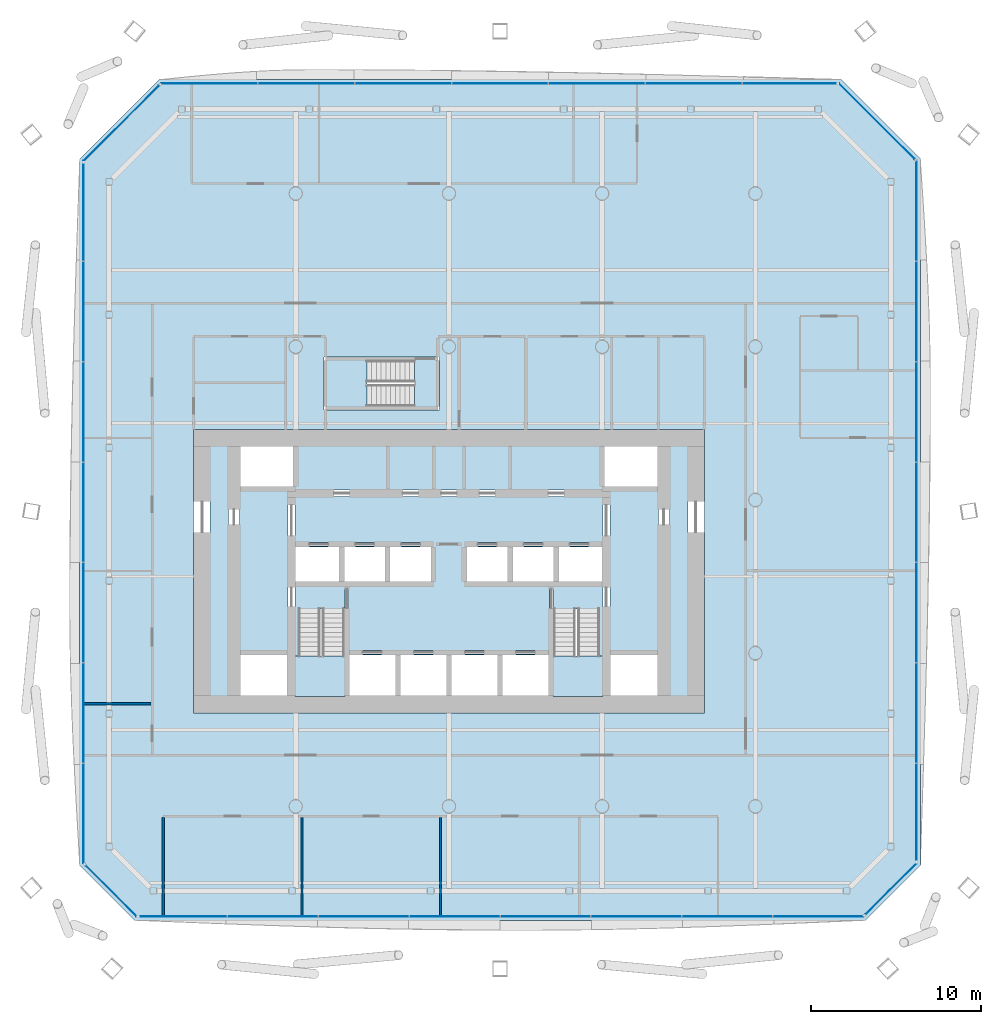
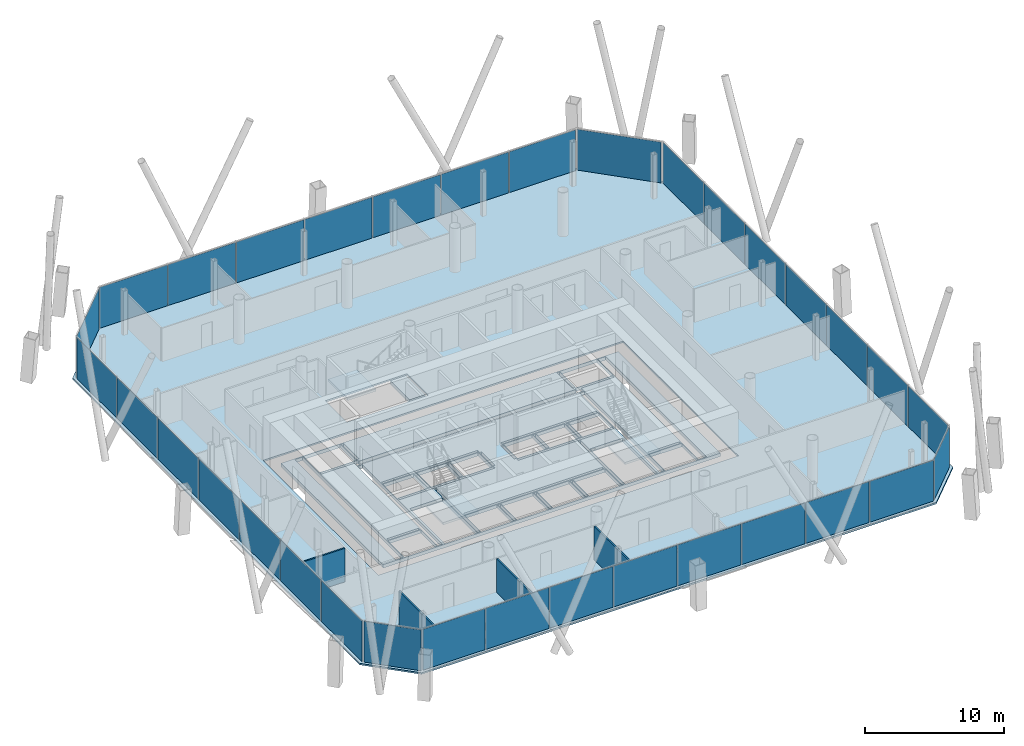
# One storey, part 13 of 22: 33 plates, 6 slabs, 4 walls, 11 elements without a shape of their own.
"""IFC4 building model written with IfcOpenShell, lengths in metres."""

from ifc_helpers import new_model, si_unit, direction, frame, frame_2d, origin, origin_2d, place, context, subcontext, project, spatial, polyline, rectangle, outline, extrude, material, layer, layer_set, type_object, element, aggregate, save


model = new_model("IFC4")

# Units and contexts
model_context = context("Model", 3, precision=1e-05, world=origin(), true_north=direction((0.0, 1.0)))
body_context = subcontext(model_context, "Body", "Model", "MODEL_VIEW")
ifc_project = project(units=[si_unit("LENGTHUNIT", "METRE"), si_unit("AREAUNIT", "SQUARE_METRE"), si_unit("VOLUMEUNIT", "CUBIC_METRE"), si_unit("PLANEANGLEUNIT", "RADIAN"), si_unit("MASSUNIT", "GRAM", prefix="KILO")], contexts=[model_context])

# Site, building, storey
site_placement = place(None, origin())
site = spatial("IfcSite", under=ifc_project, at=site_placement, CompositionType="ELEMENT")
building_placement = place(site_placement, origin())
building = spatial("IfcBuilding", under=site, at=building_placement, Name="Tskaro Facet Tower", CompositionType="ELEMENT")
storey_placement = place(building_placement, frame((0.0, 0.0, 85.5)))
storey = spatial("IfcBuildingStorey", under=building, at=storey_placement, Name="L20", CompositionType="ELEMENT", Elevation=85.5)

# Slab
ifc_material_1 = material(Name="Concrete C30/37", Category="concrete")
ifc_layer_1 = layer(ifc_material_1, 0.139892578125, Name="Concrete C30/37")
ifc_layer_set_1 = layer_set([ifc_layer_1], Name="Concrete C30/37")
slab_type_1 = type_object("IfcSlabType", Name="Composite deck floor slab", PredefinedType="FLOOR", material=ifc_layer_set_1)
slab_1_placement = place(storey_placement, frame((0.0, 0.0, -0.139892578125)))
element("IfcSlab", 1, at=slab_1_placement, inside=storey, type_object=slab_type_1, Name="Floor slab FS3 L20", PredefinedType="FLOOR", context=body_context, shape_type="SweptSolid", body=[
    extrude(outline(polyline([(-18.451904296875, -24.712890625), (24.451904296875, -24.712890625), (27.712890625, -21.451904296875), (27.712890625, 20.01708984375), (23.01708984375, 24.712890625), (-17.01708984375, 24.712890625), (-21.712890625, 20.01708984375), (-21.712890625, -21.451904296875), (-18.451904296875, -24.712890625)]), holes=[polyline([(-15.0, -12.5), (15.0, -12.5), (15.0, 4.14990234375), (-15.0, 4.14990234375), (-15.0, -12.5)]), polyline([(-7.35009765625, 5.300048828125), (-0.550048828125, 5.300048828125), (-0.550048828125, 8.39990234375), (-7.35009765625, 8.39990234375), (-7.35009765625, 5.300048828125)])]), origin(), (0.0, 0.0, 1.0), 0.139892578125),
])

# Curtain wall, plates
ifc_material_2 = material(Name="Bronze anodised aluminium 6063-T6", Category="aluminium")
curtain_wall_type = type_object("IfcCurtainWallType", Name="Bronze office curtain wall (FW1)", PredefinedType="NOTDEFINED", material=ifc_material_2)
curtain_wall_1_placement = place(storey_placement, origin())
curtain_wall_1 = element("IfcCurtainWall", 2, at=curtain_wall_1_placement, inside=storey, type_object=curtain_wall_type, Name="FW1 south facet L20", PredefinedType="NOTDEFINED")
ifc_material_3 = material(Name="Bronze tinted glass", Category="glass")
ifc_layer_2 = layer(ifc_material_3, 0.031982421875, Name="Bronze tinted glass")
ifc_layer_set_2 = layer_set([ifc_layer_2], Name="Bronze tinted glass")
plate_type = type_object("IfcPlateType", Name="FW1 bronze-tinted unit glazing 32", PredefinedType="CURTAIN_PANEL", material=ifc_layer_set_2)
plate_1_placement = place(storey_placement, frame((-15.614501953125, -24.462890625, 0.0), z_axis=(0.0, 0.0, 1.0), x_axis=(1.0, 0.0, 0.0)))
plate_1 = element("IfcPlate", 3, at=plate_1_placement, type_object=plate_type, Name="FW1 south glazing 1.1", PredefinedType="CURTAIN_PANEL", context=body_context, shape_type="SweptSolid", body=[
    extrude(rectangle(XDim=5.14697265625, YDim=0.031982421875, at=origin_2d()), origin(), (0.0, 0.0, 1.0), 3.60009765625),
])
plate_2_placement = place(storey_placement, frame((-10.342529296875, -24.462890625, 0.0), z_axis=(0.0, 0.0, 1.0), x_axis=(1.0, 0.0, 0.0)))
plate_2 = element("IfcPlate", 4, at=plate_2_placement, type_object=plate_type, Name="FW1 south glazing 2.1", PredefinedType="CURTAIN_PANEL", context=body_context, shape_type="SweptSolid", body=[
    extrude(rectangle(XDim=5.277099609375, YDim=0.031982421875, at=origin_2d()), origin(), (0.0, 0.0, 1.0), 3.60009765625),
])
plate_3_placement = place(storey_placement, frame((-5.005615234375, -24.462890625, 0.0), z_axis=(0.0, 0.0, 1.0), x_axis=(1.0, 0.0, 0.0)))
plate_3 = element("IfcPlate", 5, at=plate_3_placement, type_object=plate_type, Name="FW1 south glazing 3.1", PredefinedType="CURTAIN_PANEL", context=body_context, shape_type="SweptSolid", body=[
    extrude(rectangle(XDim=5.277099609375, YDim=0.031982421875, at=origin_2d()), origin(), (0.0, 0.0, 1.0), 3.60009765625),
])
plate_4_placement = place(storey_placement, frame((0.33154296875, -24.462890625, 0.0), z_axis=(0.0, 0.0, 1.0), x_axis=(1.0, 0.0, 0.0)))
plate_4 = element("IfcPlate", 6, at=plate_4_placement, type_object=plate_type, Name="FW1 south glazing 4.1", PredefinedType="CURTAIN_PANEL", context=body_context, shape_type="SweptSolid", body=[
    extrude(rectangle(XDim=5.277099609375, YDim=0.031982421875, at=origin_2d()), origin(), (0.0, 0.0, 1.0), 3.60009765625),
])
plate_5_placement = place(storey_placement, frame((5.66845703125, -24.462890625, 0.0), z_axis=(0.0, 0.0, 1.0), x_axis=(1.0, 0.0, 0.0)))
plate_5 = element("IfcPlate", 7, at=plate_5_placement, type_object=plate_type, Name="FW1 south glazing 5.1", PredefinedType="CURTAIN_PANEL", context=body_context, shape_type="SweptSolid", body=[
    extrude(rectangle(XDim=5.277099609375, YDim=0.031982421875, at=origin_2d()), origin(), (0.0, 0.0, 1.0), 3.60009765625),
])
plate_6_placement = place(storey_placement, frame((11.005615234375, -24.462890625, 0.0), z_axis=(0.0, 0.0, 1.0), x_axis=(1.0, 0.0, 0.0)))
plate_6 = element("IfcPlate", 8, at=plate_6_placement, type_object=plate_type, Name="FW1 south glazing 6.1", PredefinedType="CURTAIN_PANEL", context=body_context, shape_type="SweptSolid", body=[
    extrude(rectangle(XDim=5.277099609375, YDim=0.031982421875, at=origin_2d()), origin(), (0.0, 0.0, 1.0), 3.60009765625),
])
plate_7_placement = place(storey_placement, frame((16.342529296875, -24.462890625, 0.0), z_axis=(0.0, 0.0, 1.0), x_axis=(1.0, 0.0, 0.0)))
plate_7 = element("IfcPlate", 9, at=plate_7_placement, type_object=plate_type, Name="FW1 south glazing 7.1", PredefinedType="CURTAIN_PANEL", context=body_context, shape_type="SweptSolid", body=[
    extrude(rectangle(XDim=5.277099609375, YDim=0.031982421875, at=origin_2d()), origin(), (0.0, 0.0, 1.0), 3.60009765625),
])
plate_8_placement = place(storey_placement, frame((21.694580078125, -24.462890625, 0.0), z_axis=(0.0, 0.0, 1.0), x_axis=(1.0, 0.0, 0.0)))
plate_8 = element("IfcPlate", 10, at=plate_8_placement, type_object=plate_type, Name="FW1 south glazing 8.1", PredefinedType="CURTAIN_PANEL", context=body_context, shape_type="SweptSolid", body=[
    extrude(rectangle(XDim=5.306884765625, YDim=0.031982421875, at=origin_2d()), origin(), (0.0, 0.0, 1.0), 3.60009765625),
])
aggregate(curtain_wall_1, [plate_1, plate_2, plate_3, plate_4, plate_5, plate_6, plate_7, plate_8])

# Curtain wall, plate
curtain_wall_2_placement = place(storey_placement, origin())
curtain_wall_2 = element("IfcCurtainWall", 11, at=curtain_wall_2_placement, inside=storey, type_object=curtain_wall_type, Name="FW1 south-east facet L20", PredefinedType="NOTDEFINED")
plate_9_placement = place(storey_placement, frame((25.962158203125, -22.848876953125, 0.0), z_axis=(0.0, 0.0, 1.0), x_axis=(0.707106781187, 0.707106781187, 0.0)))
plate_9 = element("IfcPlate", 12, at=plate_9_placement, type_object=plate_type, Name="FW1 south-east glazing 1.1", PredefinedType="CURTAIN_PANEL", context=body_context, shape_type="SweptSolid", body=[
    extrude(rectangle(XDim=4.245361328125, YDim=0.031982421875, at=origin_2d()), origin(), (0.0, 0.0, 1.0), 3.60009765625),
])
aggregate(curtain_wall_2, [plate_9])

# Curtain wall, plates
curtain_wall_3_placement = place(storey_placement, origin())
curtain_wall_3 = element("IfcCurtainWall", 13, at=curtain_wall_3_placement, inside=storey, type_object=curtain_wall_type, Name="FW1 east facet L20", PredefinedType="NOTDEFINED")
plate_10_placement = place(storey_placement, frame((27.462890625, -18.335693359375, 0.0), z_axis=(0.0, 0.0, 1.0), x_axis=(0.0, 1.0, 0.0)))
plate_10 = element("IfcPlate", 14, at=plate_10_placement, type_object=plate_type, Name="FW1 east glazing 1.1", PredefinedType="CURTAIN_PANEL", context=body_context, shape_type="SweptSolid", body=[
    extrude(rectangle(XDim=5.704345703125, YDim=0.031982421875, at=origin_2d()), origin(), (0.0, 0.0, 1.0), 3.60009765625),
])
plate_11_placement = place(storey_placement, frame((27.462890625, -12.50634765625, 0.0), z_axis=(0.0, 0.0, 1.0), x_axis=(0.0, 1.0, 0.0)))
plate_11 = element("IfcPlate", 15, at=plate_11_placement, type_object=plate_type, Name="FW1 east glazing 2.1", PredefinedType="CURTAIN_PANEL", context=body_context, shape_type="SweptSolid", body=[
    extrude(rectangle(XDim=5.83447265625, YDim=0.031982421875, at=origin_2d()), origin(), (0.0, 0.0, 1.0), 3.60009765625),
])
plate_12_placement = place(storey_placement, frame((27.462890625, -6.61181640625, 0.0), z_axis=(0.0, 0.0, 1.0), x_axis=(0.0, 1.0, 0.0)))
plate_12 = element("IfcPlate", 16, at=plate_12_placement, type_object=plate_type, Name="FW1 east glazing 3.1", PredefinedType="CURTAIN_PANEL", context=body_context, shape_type="SweptSolid", body=[
    extrude(rectangle(XDim=5.83447265625, YDim=0.031982421875, at=origin_2d()), origin(), (0.0, 0.0, 1.0), 3.60009765625),
])
plate_13_placement = place(storey_placement, frame((27.462890625, -0.717529296875, 0.0), z_axis=(0.0, 0.0, 1.0), x_axis=(0.0, 1.0, 0.0)))
plate_13 = element("IfcPlate", 17, at=plate_13_placement, type_object=plate_type, Name="FW1 east glazing 4.1", PredefinedType="CURTAIN_PANEL", context=body_context, shape_type="SweptSolid", body=[
    extrude(rectangle(XDim=5.83447265625, YDim=0.031982421875, at=origin_2d()), origin(), (0.0, 0.0, 1.0), 3.60009765625),
])
plate_14_placement = place(storey_placement, frame((27.462890625, 5.177001953125, 0.0), z_axis=(0.0, 0.0, 1.0), x_axis=(0.0, 1.0, 0.0)))
plate_14 = element("IfcPlate", 18, at=plate_14_placement, type_object=plate_type, Name="FW1 east glazing 5.1", PredefinedType="CURTAIN_PANEL", context=body_context, shape_type="SweptSolid", body=[
    extrude(rectangle(XDim=5.83447265625, YDim=0.031982421875, at=origin_2d()), origin(), (0.0, 0.0, 1.0), 3.60009765625),
])
plate_15_placement = place(storey_placement, frame((27.462890625, 11.0712890625, 0.0), z_axis=(0.0, 0.0, 1.0), x_axis=(0.0, 1.0, 0.0)))
plate_15 = element("IfcPlate", 19, at=plate_15_placement, type_object=plate_type, Name="FW1 east glazing 6.1", PredefinedType="CURTAIN_PANEL", context=body_context, shape_type="SweptSolid", body=[
    extrude(rectangle(XDim=5.83447265625, YDim=0.031982421875, at=origin_2d()), origin(), (0.0, 0.0, 1.0), 3.60009765625),
])
plate_16_placement = place(storey_placement, frame((27.462890625, 16.980712890625, 0.0), z_axis=(0.0, 0.0, 1.0), x_axis=(0.0, 1.0, 0.0)))
plate_16 = element("IfcPlate", 20, at=plate_16_placement, type_object=plate_type, Name="FW1 east glazing 7.1", PredefinedType="CURTAIN_PANEL", context=body_context, shape_type="SweptSolid", body=[
    extrude(rectangle(XDim=5.864501953125, YDim=0.031982421875, at=origin_2d()), origin(), (0.0, 0.0, 1.0), 3.60009765625),
])
aggregate(curtain_wall_3, [plate_10, plate_11, plate_12, plate_13, plate_14, plate_15, plate_16])

# Curtain wall, plate
curtain_wall_4_placement = place(storey_placement, origin())
curtain_wall_4 = element("IfcCurtainWall", 21, at=curtain_wall_4_placement, inside=storey, type_object=curtain_wall_type, Name="FW1 north-east facet L20", PredefinedType="NOTDEFINED")
plate_17_placement = place(storey_placement, frame((25.13134765625, 22.24462890625, 0.0), z_axis=(0.0, 0.0, 1.0), x_axis=(-0.707106781187, 0.707106781187, 0.0)))
plate_17 = element("IfcPlate", 22, at=plate_17_placement, type_object=plate_type, Name="FW1 north-east glazing 1.1", PredefinedType="CURTAIN_PANEL", context=body_context, shape_type="SweptSolid", body=[
    extrude(rectangle(XDim=6.274658203125, YDim=0.031982421875, at=origin_2d()), origin(), (0.0, 0.0, 1.0), 3.60009765625),
])
aggregate(curtain_wall_4, [plate_17])

# Curtain wall, plates
curtain_wall_5_placement = place(storey_placement, origin())
curtain_wall_5 = element("IfcCurtainWall", 23, at=curtain_wall_5_placement, inside=storey, type_object=curtain_wall_type, Name="FW1 north facet L20", PredefinedType="NOTDEFINED")
plate_18_placement = place(storey_placement, frame((20.003173828125, 24.462890625, 0.0), z_axis=(0.0, 0.0, 1.0), x_axis=(-1.0, 0.0, 0.0)))
plate_18 = element("IfcPlate", 24, at=plate_18_placement, type_object=plate_type, Name="FW1 north glazing 1.1", PredefinedType="CURTAIN_PANEL", context=body_context, shape_type="SweptSolid", body=[
    extrude(rectangle(XDim=5.49951171875, YDim=0.031982421875, at=origin_2d()), origin(), (0.0, 0.0, 1.0), 3.60009765625),
])
plate_19_placement = place(storey_placement, frame((14.37890625, 24.462890625, 0.0), z_axis=(0.0, 0.0, 1.0), x_axis=(-1.0, 0.0, 0.0)))
plate_19 = element("IfcPlate", 25, at=plate_19_placement, type_object=plate_type, Name="FW1 north glazing 2.1", PredefinedType="CURTAIN_PANEL", context=body_context, shape_type="SweptSolid", body=[
    extrude(rectangle(XDim=5.62939453125, YDim=0.031982421875, at=origin_2d()), origin(), (0.0, 0.0, 1.0), 3.60009765625),
])
plate_20_placement = place(storey_placement, frame((8.689453125, 24.462890625, 0.0), z_axis=(0.0, 0.0, 1.0), x_axis=(-1.0, 0.0, 0.0)))
plate_20 = element("IfcPlate", 26, at=plate_20_placement, type_object=plate_type, Name="FW1 north glazing 3.1", PredefinedType="CURTAIN_PANEL", context=body_context, shape_type="SweptSolid", body=[
    extrude(rectangle(XDim=5.62939453125, YDim=0.031982421875, at=origin_2d()), origin(), (0.0, 0.0, 1.0), 3.60009765625),
])
plate_21_placement = place(storey_placement, frame((3.0, 24.462890625, 0.0), z_axis=(0.0, 0.0, 1.0), x_axis=(-1.0, 0.0, 0.0)))
plate_21 = element("IfcPlate", 27, at=plate_21_placement, type_object=plate_type, Name="FW1 north glazing 4.1", PredefinedType="CURTAIN_PANEL", context=body_context, shape_type="SweptSolid", body=[
    extrude(rectangle(XDim=5.62939453125, YDim=0.031982421875, at=origin_2d()), origin(), (0.0, 0.0, 1.0), 3.60009765625),
])
plate_22_placement = place(storey_placement, frame((-2.689453125, 24.462890625, 0.0), z_axis=(0.0, 0.0, 1.0), x_axis=(-1.0, 0.0, 0.0)))
plate_22 = element("IfcPlate", 28, at=plate_22_placement, type_object=plate_type, Name="FW1 north glazing 5.1", PredefinedType="CURTAIN_PANEL", context=body_context, shape_type="SweptSolid", body=[
    extrude(rectangle(XDim=5.62939453125, YDim=0.031982421875, at=origin_2d()), origin(), (0.0, 0.0, 1.0), 3.60009765625),
])
plate_23_placement = place(storey_placement, frame((-8.37890625, 24.462890625, 0.0), z_axis=(0.0, 0.0, 1.0), x_axis=(-1.0, 0.0, 0.0)))
plate_23 = element("IfcPlate", 29, at=plate_23_placement, type_object=plate_type, Name="FW1 north glazing 6.1", PredefinedType="CURTAIN_PANEL", context=body_context, shape_type="SweptSolid", body=[
    extrude(rectangle(XDim=5.62939453125, YDim=0.031982421875, at=origin_2d()), origin(), (0.0, 0.0, 1.0), 3.60009765625),
])
plate_24_placement = place(storey_placement, frame((-14.083251953125, 24.462890625, 0.0), z_axis=(0.0, 0.0, 1.0), x_axis=(-1.0, 0.0, 0.0)))
plate_24 = element("IfcPlate", 30, at=plate_24_placement, type_object=plate_type, Name="FW1 north glazing 7.1", PredefinedType="CURTAIN_PANEL", context=body_context, shape_type="SweptSolid", body=[
    extrude(rectangle(XDim=5.659423828125, YDim=0.031982421875, at=origin_2d()), origin(), (0.0, 0.0, 1.0), 3.60009765625),
])
aggregate(curtain_wall_5, [plate_18, plate_19, plate_20, plate_21, plate_22, plate_23, plate_24])

# Curtain wall, plate
curtain_wall_6_placement = place(storey_placement, origin())
curtain_wall_6 = element("IfcCurtainWall", 31, at=curtain_wall_6_placement, inside=storey, type_object=curtain_wall_type, Name="FW1 north-west facet L20", PredefinedType="NOTDEFINED")
plate_25_placement = place(storey_placement, frame((-19.24462890625, 22.13134765625, 0.0), z_axis=(0.0, 0.0, 1.0), x_axis=(-0.707106781187, -0.707106781187, 0.0)))
plate_25 = element("IfcPlate", 32, at=plate_25_placement, type_object=plate_type, Name="FW1 north-west glazing 1.1", PredefinedType="CURTAIN_PANEL", context=body_context, shape_type="SweptSolid", body=[
    extrude(rectangle(XDim=6.274658203125, YDim=0.031982421875, at=origin_2d()), origin(), (0.0, 0.0, 1.0), 3.60009765625),
])
aggregate(curtain_wall_6, [plate_25])

# Curtain wall, plates
curtain_wall_7_placement = place(storey_placement, origin())
curtain_wall_7 = element("IfcCurtainWall", 33, at=curtain_wall_7_placement, inside=storey, type_object=curtain_wall_type, Name="FW1 west facet L20", PredefinedType="NOTDEFINED")
plate_26_placement = place(storey_placement, frame((-21.462890625, 16.90087890625, 0.0), z_axis=(0.0, 0.0, 1.0), x_axis=(0.0, -1.0, 0.0)))
plate_26 = element("IfcPlate", 34, at=plate_26_placement, type_object=plate_type, Name="FW1 west glazing 1.1", PredefinedType="CURTAIN_PANEL", context=body_context, shape_type="SweptSolid", body=[
    extrude(rectangle(XDim=5.704345703125, YDim=0.031982421875, at=origin_2d()), origin(), (0.0, 0.0, 1.0), 3.60009765625),
])
plate_27_placement = place(storey_placement, frame((-21.462890625, 11.0712890625, 0.0), z_axis=(0.0, 0.0, 1.0), x_axis=(0.0, -1.0, 0.0)))
plate_27 = element("IfcPlate", 35, at=plate_27_placement, type_object=plate_type, Name="FW1 west glazing 2.1", PredefinedType="CURTAIN_PANEL", context=body_context, shape_type="SweptSolid", body=[
    extrude(rectangle(XDim=5.83447265625, YDim=0.031982421875, at=origin_2d()), origin(), (0.0, 0.0, 1.0), 3.60009765625),
])
plate_28_placement = place(storey_placement, frame((-21.462890625, 5.177001953125, 0.0), z_axis=(0.0, 0.0, 1.0), x_axis=(0.0, -1.0, 0.0)))
plate_28 = element("IfcPlate", 36, at=plate_28_placement, type_object=plate_type, Name="FW1 west glazing 3.1", PredefinedType="CURTAIN_PANEL", context=body_context, shape_type="SweptSolid", body=[
    extrude(rectangle(XDim=5.83447265625, YDim=0.031982421875, at=origin_2d()), origin(), (0.0, 0.0, 1.0), 3.60009765625),
])
plate_29_placement = place(storey_placement, frame((-21.462890625, -0.717529296875, 0.0), z_axis=(0.0, 0.0, 1.0), x_axis=(0.0, -1.0, 0.0)))
plate_29 = element("IfcPlate", 37, at=plate_29_placement, type_object=plate_type, Name="FW1 west glazing 4.1", PredefinedType="CURTAIN_PANEL", context=body_context, shape_type="SweptSolid", body=[
    extrude(rectangle(XDim=5.83447265625, YDim=0.031982421875, at=origin_2d()), origin(), (0.0, 0.0, 1.0), 3.60009765625),
])
plate_30_placement = place(storey_placement, frame((-21.462890625, -6.61181640625, 0.0), z_axis=(0.0, 0.0, 1.0), x_axis=(0.0, -1.0, 0.0)))
plate_30 = element("IfcPlate", 38, at=plate_30_placement, type_object=plate_type, Name="FW1 west glazing 5.1", PredefinedType="CURTAIN_PANEL", context=body_context, shape_type="SweptSolid", body=[
    extrude(rectangle(XDim=5.83447265625, YDim=0.031982421875, at=origin_2d()), origin(), (0.0, 0.0, 1.0), 3.60009765625),
])
plate_31_placement = place(storey_placement, frame((-21.462890625, -12.50634765625, 0.0), z_axis=(0.0, 0.0, 1.0), x_axis=(0.0, -1.0, 0.0)))
plate_31 = element("IfcPlate", 39, at=plate_31_placement, type_object=plate_type, Name="FW1 west glazing 6.1", PredefinedType="CURTAIN_PANEL", context=body_context, shape_type="SweptSolid", body=[
    extrude(rectangle(XDim=5.83447265625, YDim=0.031982421875, at=origin_2d()), origin(), (0.0, 0.0, 1.0), 3.60009765625),
])
plate_32_placement = place(storey_placement, frame((-21.462890625, -18.415771484375, 0.0), z_axis=(0.0, 0.0, 1.0), x_axis=(0.0, -1.0, 0.0)))
plate_32 = element("IfcPlate", 40, at=plate_32_placement, type_object=plate_type, Name="FW1 west glazing 7.1", PredefinedType="CURTAIN_PANEL", context=body_context, shape_type="SweptSolid", body=[
    extrude(rectangle(XDim=5.864501953125, YDim=0.031982421875, at=origin_2d()), origin(), (0.0, 0.0, 1.0), 3.60009765625),
])
aggregate(curtain_wall_7, [plate_26, plate_27, plate_28, plate_29, plate_30, plate_31, plate_32])

# Curtain wall, plate
curtain_wall_8_placement = place(storey_placement, origin())
curtain_wall_8 = element("IfcCurtainWall", 41, at=curtain_wall_8_placement, inside=storey, type_object=curtain_wall_type, Name="FW1 south-west facet L20", PredefinedType="NOTDEFINED")
plate_33_placement = place(storey_placement, frame((-19.848876953125, -22.962158203125, 0.0), z_axis=(0.0, 0.0, 1.0), x_axis=(0.707106781187, -0.707106781187, 0.0)))
plate_33 = element("IfcPlate", 42, at=plate_33_placement, type_object=plate_type, Name="FW1 south-west glazing 1.1", PredefinedType="CURTAIN_PANEL", context=body_context, shape_type="SweptSolid", body=[
    extrude(rectangle(XDim=4.245361328125, YDim=0.031982421875, at=origin_2d()), origin(), (0.0, 0.0, 1.0), 3.60009765625),
])
aggregate(curtain_wall_8, [plate_33])

# Stair, slab
ifc_material_4 = material(Name="Concrete C40/50", Category="concrete")
stair_type = type_object("IfcStairType", Name="ST-TWR", PredefinedType="HALF_TURN_STAIR", material=ifc_material_4)
stair_1_placement = place(storey_placement, origin())
stair_1 = element("IfcStair", 43, at=stair_1_placement, inside=storey, type_object=stair_type, Name="L20 Exit stair 1", PredefinedType="HALF_TURN_STAIR")
ifc_layer_3 = layer(ifc_material_4, 0.199951171875, Name="Concrete C40/50")
ifc_layer_set_3 = layer_set([ifc_layer_3], Name="Concrete C40/50")
slab_type_2 = type_object("IfcSlabType", Name="SL-LANDING", PredefinedType="LANDING", material=ifc_layer_set_3)
slab_2_placement = place(storey_placement, frame((0.0, 0.0, 1.75)))
slab_2 = element("IfcSlab", 44, at=slab_2_placement, type_object=slab_type_2, Name="ST-1 landing 1", PredefinedType="LANDING", context=body_context, shape_type="SweptSolid", body=[
    extrude(outline(polyline([(-9.050048828125, -11.550048828125), (-6.10009765625, -11.550048828125), (-6.10009765625, -9.175048828125), (-9.050048828125, -9.175048828125), (-9.050048828125, -11.550048828125)])), origin(), (0.0, 0.0, 1.0), 0.199951171875),
])
aggregate(stair_1, [slab_2])

stair_2_placement = place(storey_placement, origin())
stair_2 = element("IfcStair", 45, at=stair_2_placement, inside=storey, type_object=stair_type, Name="L20 Exit stair 2", PredefinedType="HALF_TURN_STAIR")
slab_3_placement = place(storey_placement, frame((0.0, 0.0, 1.75)))
slab_3 = element("IfcSlab", 46, at=slab_3_placement, type_object=slab_type_2, Name="ST-2 landing 1", PredefinedType="LANDING", context=body_context, shape_type="SweptSolid", body=[
    extrude(outline(polyline([(6.10009765625, -11.550048828125), (9.050048828125, -11.550048828125), (9.050048828125, -9.175048828125), (6.10009765625, -9.175048828125), (6.10009765625, -11.550048828125)])), origin(), (0.0, 0.0, 1.0), 0.199951171875),
])
aggregate(stair_2, [slab_3])

stair_3_placement = place(storey_placement, origin())
stair_3 = element("IfcStair", 47, at=stair_3_placement, inside=storey, type_object=stair_type, Name="L20 Exit stair 3", PredefinedType="HALF_TURN_STAIR")
slab_4_placement = place(storey_placement, frame((0.0, 0.0, 1.75)))
slab_4 = element("IfcSlab", 48, at=slab_4_placement, type_object=slab_type_2, Name="ST-3 landing 1", PredefinedType="LANDING", context=body_context, shape_type="SweptSolid", body=[
    extrude(outline(polyline([(-7.199951171875, 5.449951171875), (-4.824951171875, 5.449951171875), (-4.824951171875, 8.25), (-7.199951171875, 8.25), (-7.199951171875, 5.449951171875)])), origin(), (0.0, 0.0, 1.0), 0.199951171875),
])
aggregate(stair_3, [slab_4])

# Slabs
ifc_material_5 = material(Name="Concrete C60/75", Category="concrete")
ifc_layer_4 = layer(ifc_material_5, 0.300048828125, Name="Concrete C60/75")
ifc_layer_set_4 = layer_set([ifc_layer_4], Name="Concrete C60/75")
slab_type_3 = type_object("IfcSlabType", Name="SLAB-CORE", PredefinedType="FLOOR", material=ifc_layer_set_4)
slab_5_placement = place(storey_placement, frame((0.0, 0.0, -0.300048828125)))
element("IfcSlab", 49, at=slab_5_placement, inside=storey, type_object=slab_type_3, Name="Core floor slab 1", PredefinedType="FLOOR", context=body_context, shape_type="SweptSolid", body=[
    extrude(outline(polyline([(-14.050048828125, 3.199951171875), (14.050048828125, 3.199951171875), (14.050048828125, 3.10009765625), (14.050048828125, -11.449951171875), (14.050048828125, -11.550048828125), (-14.050048828125, -11.550048828125), (-14.050048828125, -11.449951171875), (-14.050048828125, 3.10009765625), (-14.050048828125, 3.199951171875)]), holes=[polyline([(-9.5, -9.10009765625), (-12.25, -9.10009765625), (-12.25, -11.5), (-9.5, -11.5), (-9.5, -9.10009765625)]), polyline([(-3.14990234375, -9.10009765625), (-5.85009765625, -9.10009765625), (-5.85009765625, -11.5), (-3.14990234375, -11.5), (-3.14990234375, -9.10009765625)]), polyline([(-12.199951171875, -8.85009765625), (-12.199951171875, -9.050048828125), (-9.550048828125, -9.050048828125), (-9.550048828125, -8.85009765625), (-12.199951171875, -8.85009765625)]), polyline([(-6.10009765625, -11.449951171875), (-5.89990234375, -11.449951171875), (-5.89990234375, -5.14990234375), (-6.10009765625, -5.14990234375), (-6.10009765625, -11.449951171875)]), polyline([(-9.449951171875, 0.10009765625), (-9.449951171875, -11.449951171875), (-9.050048828125, -11.449951171875), (-9.050048828125, 0.10009765625), (-9.449951171875, 0.10009765625)]), polyline([(-8.949951171875, -4.85009765625), (-8.949951171875, -5.050048828125), (-0.949951171875, -5.050048828125), (-0.949951171875, -4.85009765625), (-8.949951171875, -4.85009765625)]), polyline([(-12.949951171875, -11.449951171875), (-12.300048828125, -11.449951171875), (-12.300048828125, 3.10009765625), (-12.949951171875, 3.10009765625), (-12.949951171875, -11.449951171875)]), polyline([(-6.449951171875, -4.800048828125), (-6.449951171875, -2.75), (-9.0, -2.75), (-9.0, -4.800048828125), (-6.449951171875, -4.800048828125)]), polyline([(-3.75, -2.75), (-6.14990234375, -2.75), (-6.14990234375, -4.800048828125), (-3.75, -4.800048828125), (-3.75, -2.75)]), polyline([(-6.39990234375, -2.800048828125), (-6.39990234375, -4.75), (-6.199951171875, -4.75), (-6.199951171875, -2.800048828125), (-6.39990234375, -2.800048828125)]), polyline([(-8.949951171875, -2.5), (-8.949951171875, -2.699951171875), (-0.949951171875, -2.699951171875), (-0.949951171875, -2.5), (-8.949951171875, -2.5)]), polyline([(9.449951171875, 0.550048828125), (12.199951171875, 0.550048828125), (12.199951171875, 0.75), (9.050048828125, 0.75), (9.050048828125, 0.60009765625), (-9.050048828125, 0.60009765625), (-9.050048828125, 0.75), (-12.199951171875, 0.75), (-12.199951171875, 0.550048828125), (-9.449951171875, 0.550048828125), (-9.449951171875, 0.199951171875), (9.449951171875, 0.199951171875), (9.449951171875, 0.550048828125)]), polyline([(-9.10009765625, 3.10009765625), (-9.10009765625, 0.85009765625), (-8.89990234375, 0.85009765625), (-8.89990234375, 3.10009765625), (-9.10009765625, 3.10009765625)]), polyline([(-9.14990234375, 0.800048828125), (-9.14990234375, 3.14990234375), (-12.25, 3.14990234375), (-12.25, 0.800048828125), (-9.14990234375, 0.800048828125)]), polyline([(2.89990234375, -11.449951171875), (3.10009765625, -11.449951171875), (3.10009765625, -9.14990234375), (2.89990234375, -9.14990234375), (2.89990234375, -11.449951171875)]), polyline([(-3.10009765625, -9.14990234375), (-3.10009765625, -11.449951171875), (-2.89990234375, -11.449951171875), (-2.89990234375, -9.14990234375), (-3.10009765625, -9.14990234375)]), polyline([(2.85009765625, -9.10009765625), (0.14990234375, -9.10009765625), (0.14990234375, -11.5), (2.85009765625, -11.5), (2.85009765625, -9.10009765625)]), polyline([(-0.14990234375, -9.10009765625), (-2.85009765625, -9.10009765625), (-2.85009765625, -11.5), (-0.14990234375, -11.5), (-0.14990234375, -9.10009765625)]), polyline([(-0.10009765625, -9.14990234375), (-0.10009765625, -11.449951171875), (0.10009765625, -11.449951171875), (0.10009765625, -9.14990234375), (-0.10009765625, -9.14990234375)]), polyline([(-5.800048828125, -8.85009765625), (-5.800048828125, -9.050048828125), (5.800048828125, -9.050048828125), (5.800048828125, -8.85009765625), (-5.800048828125, -8.85009765625)]), polyline([(-1.0, -2.800048828125), (-1.0, -4.75), (-0.800048828125, -4.75), (-0.800048828125, -2.800048828125), (-1.0, -2.800048828125)]), polyline([(0.800048828125, -4.75), (1.0, -4.75), (1.0, -2.800048828125), (0.800048828125, -2.800048828125), (0.800048828125, -4.75)]), polyline([(-1.050048828125, -4.800048828125), (-1.050048828125, -2.75), (-3.449951171875, -2.75), (-3.449951171875, -4.800048828125), (-1.050048828125, -4.800048828125)]), polyline([(3.449951171875, -4.800048828125), (3.449951171875, -2.75), (1.050048828125, -2.75), (1.050048828125, -4.800048828125), (3.449951171875, -4.800048828125)]), polyline([(-3.699951171875, -4.75), (-3.5, -4.75), (-3.5, -2.800048828125), (-3.699951171875, -2.800048828125), (-3.699951171875, -4.75)]), polyline([(3.14990234375, -9.10009765625), (3.14990234375, -11.5), (5.85009765625, -11.5), (5.85009765625, -9.10009765625), (3.14990234375, -9.10009765625)]), polyline([(12.25, -11.5), (12.25, -9.10009765625), (9.5, -9.10009765625), (9.5, -11.5), (12.25, -11.5)]), polyline([(9.550048828125, -8.85009765625), (9.550048828125, -9.050048828125), (12.199951171875, -9.050048828125), (12.199951171875, -8.85009765625), (9.550048828125, -8.85009765625)]), polyline([(5.89990234375, -11.449951171875), (6.10009765625, -11.449951171875), (6.10009765625, -5.14990234375), (5.89990234375, -5.14990234375), (5.89990234375, -11.449951171875)]), polyline([(9.050048828125, 0.10009765625), (9.050048828125, -11.449951171875), (9.449951171875, -11.449951171875), (9.449951171875, 0.10009765625), (9.050048828125, 0.10009765625)]), polyline([(0.949951171875, -4.85009765625), (0.949951171875, -5.050048828125), (8.949951171875, -5.050048828125), (8.949951171875, -4.85009765625), (0.949951171875, -4.85009765625)]), polyline([(12.300048828125, -11.449951171875), (12.949951171875, -11.449951171875), (12.949951171875, 3.10009765625), (12.300048828125, 3.10009765625), (12.300048828125, -11.449951171875)]), polyline([(3.5, -2.800048828125), (3.5, -4.75), (3.699951171875, -4.75), (3.699951171875, -2.800048828125), (3.5, -2.800048828125)]), polyline([(6.14990234375, -2.75), (3.75, -2.75), (3.75, -4.800048828125), (6.14990234375, -4.800048828125), (6.14990234375, -2.75)]), polyline([(6.199951171875, -2.800048828125), (6.199951171875, -4.75), (6.39990234375, -4.75), (6.39990234375, -2.800048828125), (6.199951171875, -2.800048828125)]), polyline([(6.449951171875, -2.75), (6.449951171875, -4.800048828125), (9.0, -4.800048828125), (9.0, -2.75), (6.449951171875, -2.75)]), polyline([(0.949951171875, -2.5), (0.949951171875, -2.699951171875), (8.949951171875, -2.699951171875), (8.949951171875, -2.5), (0.949951171875, -2.5)]), polyline([(8.89990234375, 3.10009765625), (8.89990234375, 0.85009765625), (9.10009765625, 0.85009765625), (9.10009765625, 3.10009765625), (8.89990234375, 3.10009765625)]), polyline([(9.14990234375, 0.800048828125), (12.25, 0.800048828125), (12.25, 3.14990234375), (9.14990234375, 3.14990234375), (9.14990234375, 0.800048828125)]), polyline([(-8.85009765625, -11.5), (-6.14990234375, -11.5), (-6.14990234375, -6.39501953125), (-8.85009765625, -6.39501953125), (-8.85009765625, -11.5)]), polyline([(6.14990234375, -6.39501953125), (6.14990234375, -11.5), (8.85009765625, -11.5), (8.85009765625, -6.39501953125), (6.14990234375, -6.39501953125)])]), origin(), (0.0, 0.0, 1.0), 0.300048828125),
])
slab_6_placement = place(storey_placement, frame((0.0, 0.0, -0.300048828125)))
element("IfcSlab", 50, at=slab_6_placement, inside=storey, type_object=slab_type_3, Name="Stair 3 floor landing 1", PredefinedType="FLOOR", context=body_context, shape_type="SweptSolid", body=[
    extrude(outline(polyline([(-2.02490234375, 5.449951171875), (-0.699951171875, 5.449951171875), (-0.699951171875, 8.25), (-2.02490234375, 8.25), (-2.02490234375, 5.449951171875)])), origin(), (0.0, 0.0, 1.0), 0.300048828125),
])

# Walls
ifc_material_6 = material(Name="Gypsum board on steel studs", Category="steel")
ifc_layer_5 = layer(ifc_material_6, 0.125, Name="Gypsum board on steel studs")
ifc_layer_set_5 = layer_set([ifc_layer_5], Name="Gypsum board on steel studs")
wall_type = type_object("IfcWallType", Name="PART", PredefinedType="PARTITIONING", material=ifc_layer_set_5)
wall_placement = place(storey_placement, frame((-21.4130859375, -11.972900390625, 0.0), z_axis=(0.0, 0.0, 1.0), x_axis=(1.0, 0.0, 0.0)))
element("IfcWall", 51, at=wall_placement, inside=storey, type_object=wall_type, Name="Partition W003", PredefinedType="PARTITIONING", context=body_context, shape_type="SweptSolid", body=[
    extrude(rectangle(XDim=3.9130859375, YDim=0.125, at=frame_2d((1.95654296875, 0.0))), origin(), (0.0, 0.0, 1.0), 2.9599609375),
])
for number, where, z_axis, x_axis, name in (
    (52, (-16.783935546875, -24.4130859375, 0.0), (0.0, 0.0, 1.0), (0.0, 1.0, 0.0), "Partition W029"),
    (53, (-8.637939453125, -24.4130859375, 0.0), (0.0, 0.0, 1.0), (0.0, 1.0, 0.0), "Partition W034"),
    (54, (-0.492919921875, -24.4130859375, 0.0), (0.0, 0.0, 1.0), (0.0, 1.0, 0.0), "Partition W048"),
):
    element("IfcWall", number, at=place(storey_placement, frame(where, z_axis=z_axis, x_axis=x_axis)), inside=storey, type_object=wall_type, Name=name, PredefinedType="PARTITIONING", context=body_context, shape_type="SweptSolid", body=[
        extrude(rectangle(XDim=5.7705078125, YDim=0.125, at=frame_2d((2.88525390625, 0.0))), origin(), (0.0, 0.0, 1.0), 2.9599609375),
    ])

save(model, "model.ifc")
